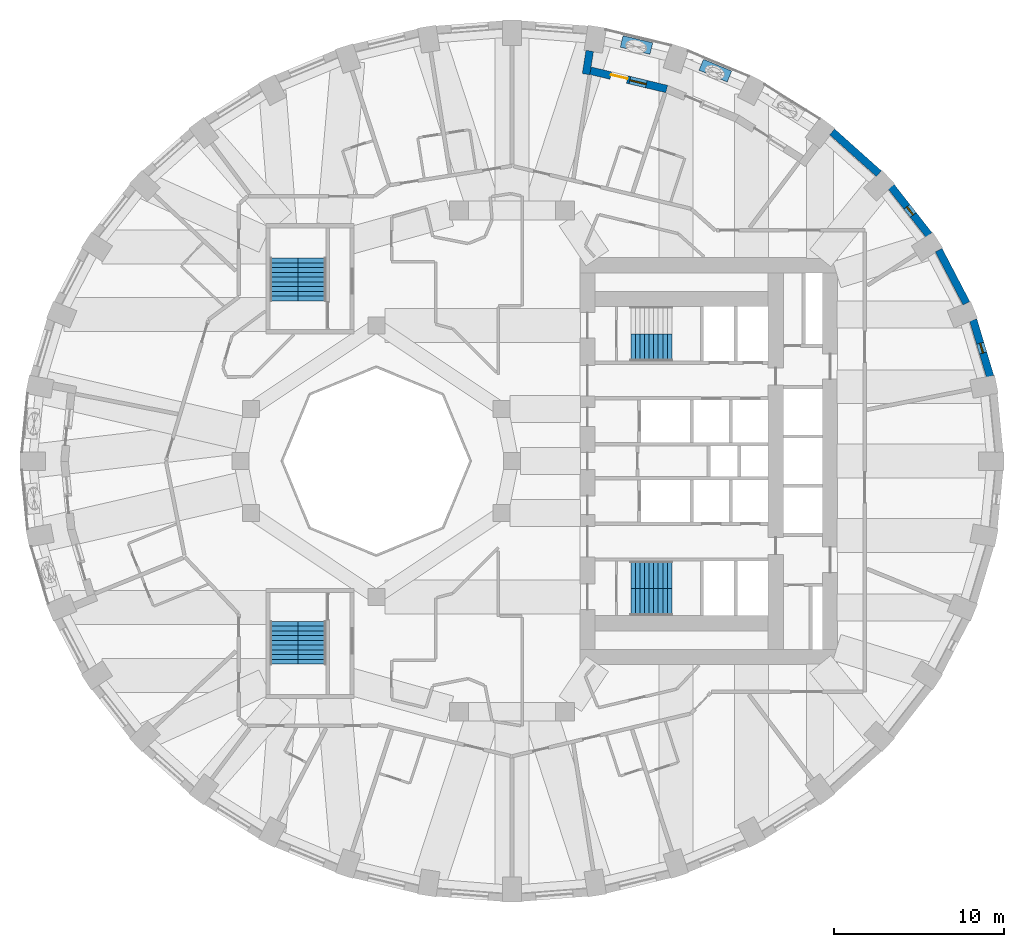
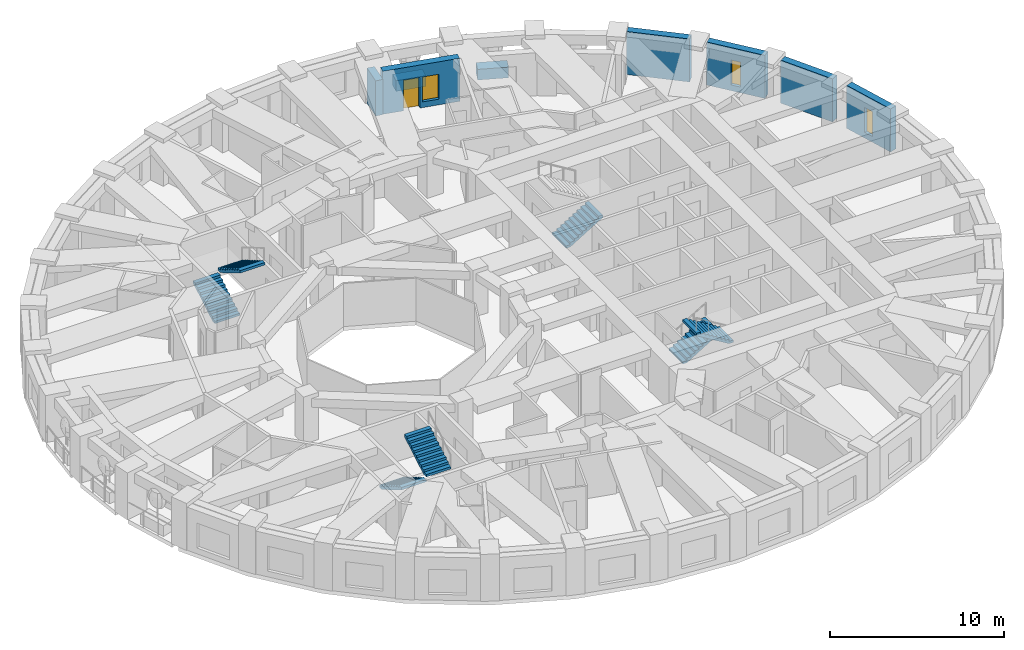
# One storey, part 10 of 14: 8 walls, 7 stair flights, 3 windows, 1 door, 4 openings, 4 elements without a shape of their own.
"""IFC4 building model written with IfcOpenShell, lengths in metres."""

from ifc_helpers import new_model, si_unit, direction, frame, frame_2d, origin, place, context, subcontext, project, spatial, polyline, rectangle, outline, extrude, material, layer, layer_set, constituent, constituent_set, type_object, element, fill, aggregate, save


model = new_model("IFC4")

# Units and contexts
model_context = context("Model", 3, precision=1e-05, world=origin(), true_north=direction((0.0, 1.0)))
body_context = subcontext(model_context, "Body", "Model", "MODEL_VIEW")
ifc_project = project(units=[si_unit("LENGTHUNIT", "METRE"), si_unit("AREAUNIT", "SQUARE_METRE"), si_unit("VOLUMEUNIT", "CUBIC_METRE"), si_unit("PLANEANGLEUNIT", "RADIAN"), si_unit("MASSUNIT", "GRAM", prefix="KILO")], contexts=[model_context])

# Site, building, storey
site_placement = place(None, origin())
site = spatial("IfcSite", under=ifc_project, at=site_placement, CompositionType="ELEMENT")
building_placement = place(site_placement, origin())
building = spatial("IfcBuilding", under=site, at=building_placement, Name="Taillehof Tower", CompositionType="ELEMENT")
storey_placement = place(building_placement, frame((0.0, 0.0, 21.699951171875)))
storey = spatial("IfcBuildingStorey", under=building, at=storey_placement, Name="L04", CompositionType="ELEMENT", Elevation=21.699951171875)

# Wall, opening, window
ifc_material_1 = material(Name="Brick masonry", Category="masonry")
ifc_layer = layer(ifc_material_1, 0.449951171875)
ifc_layer_set = layer_set([ifc_layer], Name="Brick infill wall 450")
wall_type_1 = type_object("IfcWallType", Name="Brick infill wall 450", PredefinedType="SOLIDWALL", material=ifc_layer_set)
wall_1_placement = place(storey_placement, frame((28.181884765625, 4.995849609375, 0.0), z_axis=(0.0, 0.0, 1.0), x_axis=(-0.287064133733, 0.957911364963, 0.0)))
wall_1 = element("IfcWall", 1, at=wall_1_placement, inside=storey, type_object=wall_type_1, Name="Brick wall L04 bay 2", PredefinedType="SOLIDWALL", context=body_context, shape_type="SweptSolid", body=[
    extrude(rectangle(XDim=3.473388671875, YDim=0.449951171875, at=frame_2d((1.73681640625, 0.0))), origin(), (0.0, 0.0, 1.0), 3.02001953125),
])
opening_1_placement = place(wall_1_placement, frame((1.436767578125, 0.0, 0.39990234375)))
opening_1 = element("IfcOpeningElement", 2, at=opening_1_placement, cuts=wall_1, Name="Opening W6", PredefinedType="OPENING", context=body_context, shape_type="SweptSolid", body=[
    extrude(rectangle(XDim=0.60009765625, YDim=1.75, at=frame_2d((0.300048828125, 0.875))), frame((0.0, 0.23486328125, 0.0), z_axis=(0.0, -1.0, 0.0), x_axis=(1.0, 0.0, 0.0)), (0.0, 0.0, 1.0), 0.469970703125),
])
ifc_material_2 = material(Name="Aluminium window frame with clear double glazing", Category="aluminium")
window_type_1 = type_object("IfcWindowType", Name="Slot window 600x1750", PartitioningType="SINGLE_PANEL", PredefinedType="WINDOW", material=ifc_material_2)
window_1_placement = place(opening_1_placement, origin())
window_1 = element("IfcWindow", 3, at=window_1_placement, inside=storey, type_object=window_type_1, Name="W6", OverallHeight=1.75, OverallWidth=0.60009765625, PartitioningType="SINGLE_PANEL", PredefinedType="WINDOW", context=body_context, shape_type="SweptSolid", body=[
    extrude(rectangle(XDim=0.60009765625, YDim=1.75, at=frame_2d((0.300048828125, 0.875))), frame((0.0, 0.034912109375, 0.0), z_axis=(0.0, -1.0, 0.0), x_axis=(1.0, 0.0, 0.0)), (0.0, 0.0, 1.0), 0.06005859375),
])
fill(opening_1, window_1)

# Wall
wall_2_placement = place(storey_placement, frame((26.78564453125, 9.30517578125, 0.0), z_axis=(0.0, 0.0, 1.0), x_axis=(-0.462492775226, 0.886623050041, 0.0)))
element("IfcWall", 4, at=wall_2_placement, inside=storey, type_object=wall_type_1, Name="Brick wall L04 bay 3", PredefinedType="SOLIDWALL", context=body_context, shape_type="SweptSolid", body=[
    extrude(rectangle(XDim=3.531982421875, YDim=0.449951171875, at=frame_2d((1.76611328125, 0.0))), origin(), (0.0, 0.0, 1.0), 3.02001953125),
])

# Wall, opening, window
wall_3_placement = place(storey_placement, frame((24.57763671875, 13.327880859375, 0.0), z_axis=(0.0, 0.0, 1.0), x_axis=(-0.616661975264, 0.787228053529, 0.0)))
wall_3 = element("IfcWall", 5, at=wall_3_placement, inside=storey, type_object=wall_type_1, Name="Brick wall L04 bay 4", PredefinedType="SOLIDWALL", context=body_context, shape_type="SweptSolid", body=[
    extrude(rectangle(XDim=3.60986328125, YDim=0.449951171875, at=frame_2d((1.804931640625, 0.0))), origin(), (0.0, 0.0, 1.0), 3.02001953125),
])
opening_2_placement = place(wall_3_placement, frame((1.5048828125, 0.0, 0.39990234375)))
opening_2 = element("IfcOpeningElement", 6, at=opening_2_placement, cuts=wall_3, Name="Opening W6", PredefinedType="OPENING", context=body_context, shape_type="SweptSolid", body=[
    extrude(rectangle(XDim=0.60009765625, YDim=1.75, at=frame_2d((0.300048828125, 0.875))), frame((0.0, 0.23486328125, 0.0), z_axis=(0.0, -1.0, 0.0), x_axis=(1.0, 0.0, 0.0)), (0.0, 0.0, 1.0), 0.469970703125),
])
window_2_placement = place(opening_2_placement, origin())
window_2 = element("IfcWindow", 7, at=window_2_placement, inside=storey, type_object=window_type_1, Name="W6", OverallHeight=1.75, OverallWidth=0.60009765625, PartitioningType="SINGLE_PANEL", PredefinedType="WINDOW", context=body_context, shape_type="SweptSolid", body=[
    extrude(rectangle(XDim=0.60009765625, YDim=1.75, at=frame_2d((0.300048828125, 0.875))), frame((0.0, 0.034912109375, 0.0), z_axis=(0.0, -1.0, 0.0), x_axis=(1.0, 0.0, 0.0)), (0.0, 0.0, 1.0), 0.06005859375),
])
fill(opening_2, window_2)

# Walls
wall_4_placement = place(storey_placement, frame((21.626708984375, 16.943115234375, 0.0), z_axis=(0.0, 0.0, 1.0), x_axis=(-0.745526233716, 0.66647628228, 0.0)))
element("IfcWall", 8, at=wall_4_placement, inside=storey, type_object=wall_type_1, Name="Brick wall L04 bay 5", PredefinedType="SOLIDWALL", context=body_context, shape_type="SweptSolid", body=[
    extrude(rectangle(XDim=3.69677734375, YDim=0.449951171875, at=frame_2d((1.848388671875, 0.0))), origin(), (0.0, 0.0, 1.0), 3.02001953125),
])
wall_5_placement = place(storey_placement, frame((4.58251953125, 24.178466796875, 0.0), z_axis=(0.0, 0.0, 1.0), x_axis=(-0.156133927791, -0.98773589415, 0.0)))
element("IfcWall", 9, at=wall_5_placement, inside=storey, type_object=wall_type_1, Name="Brick reveal L04 pocket 1", PredefinedType="SOLIDWALL", context=body_context, shape_type="SweptSolid", body=[
    extrude(rectangle(XDim=1.39013671875, YDim=0.449951171875, at=frame_2d((0.695068359375, 0.0))), origin(), (0.0, 0.0, 1.0), 2.469970703125),
])

# Wall, openings, door, window
wall_6_placement = place(storey_placement, frame((9.12158203125, 21.931640625, 0.0), z_axis=(0.0, 0.0, 1.0), x_axis=(-0.972346547441, 0.233542697764, 0.0)))
wall_6 = element("IfcWall", 10, at=wall_6_placement, inside=storey, type_object=wall_type_1, Name="Brick wall L04 pocket bay 8", PredefinedType="SOLIDWALL", context=body_context, shape_type="SweptSolid", body=[
    extrude(rectangle(XDim=4.623779296875, YDim=0.449951171875, at=frame_2d((2.31201171875, 0.0))), origin(), (0.0, 0.0, 1.0), 3.02001953125),
])
opening_3_placement = place(wall_6_placement, frame((1.23681640625, 0.0, 0.39990234375)))
opening_3 = element("IfcOpeningElement", 11, at=opening_3_placement, cuts=wall_6, Name="Opening W5", PredefinedType="OPENING", context=body_context, shape_type="SweptSolid", body=[
    extrude(rectangle(XDim=1.0, YDim=1.75, at=frame_2d((0.5, 0.875))), frame((0.0, 0.23486328125, 0.0), z_axis=(0.0, -1.0, 0.0), x_axis=(1.0, 0.0, 0.0)), (0.0, 0.0, 1.0), 0.469970703125),
])
opening_4_placement = place(wall_6_placement, frame((2.38671875, 0.0, 0.0)))
opening_4 = element("IfcOpeningElement", 12, at=opening_4_placement, cuts=wall_6, Name="Opening D0493", PredefinedType="OPENING", context=body_context, shape_type="SweptSolid", body=[
    extrude(rectangle(XDim=1.0, YDim=2.14990234375, at=frame_2d((0.5, 1.074951171875))), frame((0.0, 0.23486328125, 0.0), z_axis=(0.0, -1.0, 0.0), x_axis=(1.0, 0.0, 0.0)), (0.0, 0.0, 1.0), 0.469970703125),
])
ifc_material_3 = material(Name="Aluminium door frame with clear double glazing", Category="aluminium")
door_type = type_object("IfcDoorType", Name="Balcony door 1000x2150", OperationType="SINGLE_SWING_RIGHT", PredefinedType="DOOR", material=ifc_material_3)
door_placement = place(opening_4_placement, frame((1.0, 0.0, 0.0), z_axis=(0.0, 0.0, 1.0), x_axis=(-1.0, 0.0, 0.0)))
door = element("IfcDoor", 13, at=door_placement, inside=storey, type_object=door_type, Name="Balcony door L04 bay 8", OperationType="SINGLE_SWING_LEFT", OverallHeight=2.14990234375, OverallWidth=1.0, PredefinedType="DOOR", context=body_context, shape_type="SweptSolid", body=[
    extrude(rectangle(XDim=1.0, YDim=2.14990234375, at=frame_2d((0.5, 1.074951171875))), frame((0.0, 0.0751953125, 0.0), z_axis=(0.0, -1.0, 0.0), x_axis=(1.0, 0.0, 0.0)), (0.0, 0.0, 1.0), 0.050048828125),
])
fill(opening_4, door)
ifc_material_4 = material(Name="Aluminium window frame with clear double glazing", Category="aluminium")
window_type_2 = type_object("IfcWindowType", Name="Fixed window 1000x1750", PartitioningType="SINGLE_PANEL", PredefinedType="WINDOW", material=ifc_material_4)
window_3_placement = place(opening_3_placement, origin())
window_3 = element("IfcWindow", 14, at=window_3_placement, inside=storey, type_object=window_type_2, Name="W5", OverallHeight=1.75, OverallWidth=1.0, PartitioningType="SINGLE_PANEL", PredefinedType="WINDOW", context=body_context, shape_type="SweptSolid", body=[
    extrude(rectangle(XDim=1.0, YDim=1.75, at=frame_2d((0.5, 0.875))), frame((0.0, 0.034912109375, 0.0), z_axis=(0.0, -1.0, 0.0), x_axis=(1.0, 0.0, 0.0)), (0.0, 0.0, 1.0), 0.06005859375),
])
fill(opening_3, window_3)

# Walls
ifc_material_5 = material(Name="Concrete C30/37 precast", Category="concrete")
ifc_constituent_1 = constituent(ifc_material_5, Name="Structure", Category="concrete")
ifc_material_6 = material(Name="Insulated lining")
ifc_constituent_2 = constituent(ifc_material_6, Name="Lining")
ifc_constituent_set = constituent_set(constituents=[ifc_constituent_1, ifc_constituent_2], Name="Planter trough 700x750")
wall_type_2 = type_object("IfcWallType", Name="Planter trough 700x750", PredefinedType="USERDEFINED", material=ifc_constituent_set)
for number, where, z_axis, x_axis, name in (
    (15, (12.816650390625, 22.669677734375, 0.0), (0.0, 0.0, 1.0), (-0.923000660042, 0.384798364811, 0.0), "Planter L04 bay 7"),
    (16, (8.215087890625, 24.318115234375, 0.0), (0.0, 0.0, 1.0), (-0.972504142103, 0.232885580473, 0.0), "Planter L04 bay 8"),
):
    element("IfcWall", number, at=place(storey_placement, frame(where, z_axis=z_axis, x_axis=x_axis)), inside=storey, type_object=wall_type_2, Name=name, ObjectType="PLANTER", PredefinedType="USERDEFINED", context=body_context, shape_type="SweptSolid", body=[
        extrude(rectangle(XDim=1.800048828125, YDim=0.699951171875, at=frame_2d((0.89990234375, 0.0))), origin(), (0.0, 0.0, 1.0), 0.75),
    ])

# Stair, stair flight
ifc_material_7 = material(Name="Concrete C40/50", Category="concrete")
stair_type = type_object("IfcStairType", Name="Exit stair half-turn", PredefinedType="HALF_TURN_STAIR", material=ifc_material_7)
stair_1_placement = place(storey_placement, origin())
stair_1 = element("IfcStair", 17, at=stair_1_placement, inside=storey, type_object=stair_type, Name="Exit stair S1", PredefinedType="HALF_TURN_STAIR")
ifc_material_8 = material(Name="Concrete C40/50", Category="concrete")
stair_flight_type_1 = type_object("IfcStairFlightType", Name="Stair flight 1600 riser 165.0 going 270", PredefinedType="STRAIGHT", material=ifc_material_8)
stair_flight_1_placement = place(storey_placement, frame((7.0, 6.699951171875, 0.0), z_axis=(0.0, 0.0, 1.0), x_axis=(1.0, 0.0, 0.0)))
stair_flight_1 = element("IfcStairFlight", 18, at=stair_flight_1_placement, type_object=stair_flight_type_1, Name="S1 flight 1", NumberOfRisers=10, NumberOfTreads=9, PredefinedType="STRAIGHT", RiserHeight=0.165, TreadLength=0.27, context=body_context, shape_type="SweptSolid", body=[
    extrude(outline(polyline([(0.0, 0.0), (0.0, 0.00537109375), (0.0, 0.0107421875), (0.0, 0.015869140625), (0.0, 0.021240234375), (0.0, 0.026611328125), (0.0, 0.031982421875), (0.0, 0.037353515625), (0.0, 0.04248046875), (0.0, 0.0478515625), (0.0, 0.05322265625), (0.0, 0.05859375), (0.0, 0.06396484375), (0.0, 0.069091796875), (0.0, 0.074462890625), (0.0, 0.079833984375), (0.0, 0.085205078125), (0.0, 0.090576171875), (0.0, 0.095703125), (0.0, 0.10107421875), (0.0, 0.1064453125), (0.0, 0.11181640625), (0.0, 0.1171875), (0.0, 0.122314453125), (0.0, 0.127685546875), (0.0, 0.133056640625), (0.0, 0.138427734375), (0.0, 0.143798828125), (0.0, 0.14892578125), (0.0, 0.154296875), (0.0, 0.15966796875), (0.0, 0.1650390625), (0.27001953125, 0.1650390625), (0.27001953125, 0.330078125), (0.5400390625, 0.330078125), (0.5400390625, 0.4951171875), (0.81005859375, 0.4951171875), (0.81005859375, 0.659912109375), (1.080078125, 0.659912109375), (1.080078125, 0.824951171875), (1.35009765625, 0.824951171875), (1.35009765625, 0.989990234375), (1.6201171875, 0.989990234375), (1.6201171875, 1.155029296875), (1.889892578125, 1.155029296875), (1.889892578125, 1.320068359375), (2.159912109375, 1.320068359375), (2.159912109375, 1.485107421875), (2.429931640625, 1.485107421875), (2.429931640625, 1.479248046875), (2.429931640625, 1.4736328125), (2.429931640625, 1.468017578125), (2.429931640625, 1.46240234375), (2.429931640625, 1.45654296875), (2.429931640625, 1.450927734375), (2.429931640625, 1.4453125), (2.429931640625, 1.439697265625), (2.429931640625, 1.43408203125), (2.429931640625, 1.42822265625), (2.429931640625, 1.422607421875), (2.429931640625, 1.4169921875), (2.429931640625, 1.411376953125), (2.429931640625, 1.40576171875), (2.429931640625, 1.39990234375), (2.429931640625, 1.394287109375), (2.429931640625, 1.388671875), (2.429931640625, 1.383056640625), (2.429931640625, 1.37744140625), (2.429931640625, 1.37158203125), (2.429931640625, 1.365966796875), (2.429931640625, 1.3603515625), (2.429931640625, 1.354736328125), (2.429931640625, 1.348876953125), (2.429931640625, 1.34326171875), (2.429931640625, 1.337646484375), (2.429931640625, 1.33203125), (2.429931640625, 1.326416015625), (2.429931640625, 1.320556640625), (2.429931640625, 1.31494140625), (2.429931640625, 1.309326171875), (0.287353515625, 0.0), (0.0, 0.0)])), frame((0.0, 0.800048828125, 0.0), z_axis=(0.0, -1.0, 0.0), x_axis=(1.0, 0.0, 0.0)), (0.0, 0.0, 1.0), 1.6),
])
aggregate(stair_1, [stair_flight_1])

# Stair, stair flights
stair_2_placement = place(storey_placement, origin())
stair_2 = element("IfcStair", 19, at=stair_2_placement, inside=storey, type_object=stair_type, Name="Exit stair S2", PredefinedType="HALF_TURN_STAIR")
stair_flight_2_placement = place(storey_placement, frame((7.0, -6.699951171875, 0.0), z_axis=(0.0, 0.0, 1.0), x_axis=(1.0, 0.0, 0.0)))
stair_flight_2 = element("IfcStairFlight", 20, at=stair_flight_2_placement, type_object=stair_flight_type_1, Name="S2 flight 1", NumberOfRisers=10, NumberOfTreads=9, PredefinedType="STRAIGHT", RiserHeight=0.165, TreadLength=0.27, context=body_context, shape_type="SweptSolid", body=[
    extrude(outline(polyline([(0.0, 0.0), (0.0, 0.00537109375), (0.0, 0.0107421875), (0.0, 0.015869140625), (0.0, 0.021240234375), (0.0, 0.026611328125), (0.0, 0.031982421875), (0.0, 0.037353515625), (0.0, 0.04248046875), (0.0, 0.0478515625), (0.0, 0.05322265625), (0.0, 0.05859375), (0.0, 0.06396484375), (0.0, 0.069091796875), (0.0, 0.074462890625), (0.0, 0.079833984375), (0.0, 0.085205078125), (0.0, 0.090576171875), (0.0, 0.095703125), (0.0, 0.10107421875), (0.0, 0.1064453125), (0.0, 0.11181640625), (0.0, 0.1171875), (0.0, 0.122314453125), (0.0, 0.127685546875), (0.0, 0.133056640625), (0.0, 0.138427734375), (0.0, 0.143798828125), (0.0, 0.14892578125), (0.0, 0.154296875), (0.0, 0.15966796875), (0.0, 0.1650390625), (0.27001953125, 0.1650390625), (0.27001953125, 0.330078125), (0.5400390625, 0.330078125), (0.5400390625, 0.4951171875), (0.81005859375, 0.4951171875), (0.81005859375, 0.659912109375), (1.080078125, 0.659912109375), (1.080078125, 0.824951171875), (1.35009765625, 0.824951171875), (1.35009765625, 0.989990234375), (1.6201171875, 0.989990234375), (1.6201171875, 1.155029296875), (1.889892578125, 1.155029296875), (1.889892578125, 1.320068359375), (2.159912109375, 1.320068359375), (2.159912109375, 1.485107421875), (2.429931640625, 1.485107421875), (2.429931640625, 1.479248046875), (2.429931640625, 1.4736328125), (2.429931640625, 1.468017578125), (2.429931640625, 1.46240234375), (2.429931640625, 1.45654296875), (2.429931640625, 1.450927734375), (2.429931640625, 1.4453125), (2.429931640625, 1.439697265625), (2.429931640625, 1.43408203125), (2.429931640625, 1.42822265625), (2.429931640625, 1.422607421875), (2.429931640625, 1.4169921875), (2.429931640625, 1.411376953125), (2.429931640625, 1.40576171875), (2.429931640625, 1.39990234375), (2.429931640625, 1.394287109375), (2.429931640625, 1.388671875), (2.429931640625, 1.383056640625), (2.429931640625, 1.37744140625), (2.429931640625, 1.37158203125), (2.429931640625, 1.365966796875), (2.429931640625, 1.3603515625), (2.429931640625, 1.354736328125), (2.429931640625, 1.348876953125), (2.429931640625, 1.34326171875), (2.429931640625, 1.337646484375), (2.429931640625, 1.33203125), (2.429931640625, 1.326416015625), (2.429931640625, 1.320556640625), (2.429931640625, 1.31494140625), (2.429931640625, 1.309326171875), (0.287353515625, 0.0), (0.0, 0.0)])), frame((0.0, 0.800048828125, 0.0), z_axis=(0.0, -1.0, 0.0), x_axis=(1.0, 0.0, 0.0)), (0.0, 0.0, 1.0), 1.6),
])
stair_flight_3_placement = place(storey_placement, frame((9.429931640625, -8.300048828125, 1.650146484375), z_axis=(0.0, 0.0, 1.0), x_axis=(-1.0, 0.0, 0.0)))
stair_flight_3 = element("IfcStairFlight", 21, at=stair_flight_3_placement, type_object=stair_flight_type_1, Name="S2 flight 2", NumberOfRisers=10, NumberOfTreads=9, PredefinedType="STRAIGHT", RiserHeight=0.165, TreadLength=0.27, context=body_context, shape_type="SweptSolid", body=[
    extrude(outline(polyline([(0.0, 0.0), (0.0, 0.00537109375), (0.0, 0.0107421875), (0.0, 0.015869140625), (0.0, 0.021240234375), (0.0, 0.026611328125), (0.0, 0.031982421875), (0.0, 0.037353515625), (0.0, 0.04248046875), (0.0, 0.0478515625), (0.0, 0.05322265625), (0.0, 0.05859375), (0.0, 0.06396484375), (0.0, 0.069091796875), (0.0, 0.074462890625), (0.0, 0.079833984375), (0.0, 0.085205078125), (0.0, 0.090576171875), (0.0, 0.095703125), (0.0, 0.10107421875), (0.0, 0.1064453125), (0.0, 0.11181640625), (0.0, 0.1171875), (0.0, 0.122314453125), (0.0, 0.127685546875), (0.0, 0.133056640625), (0.0, 0.138427734375), (0.0, 0.143798828125), (0.0, 0.14892578125), (0.0, 0.154296875), (0.0, 0.15966796875), (0.0, 0.1650390625), (0.27001953125, 0.1650390625), (0.27001953125, 0.330078125), (0.5400390625, 0.330078125), (0.5400390625, 0.4951171875), (0.81005859375, 0.4951171875), (0.81005859375, 0.659912109375), (1.080078125, 0.659912109375), (1.080078125, 0.824951171875), (1.35009765625, 0.824951171875), (1.35009765625, 0.989990234375), (1.6201171875, 0.989990234375), (1.6201171875, 1.155029296875), (1.889892578125, 1.155029296875), (1.889892578125, 1.320068359375), (2.159912109375, 1.320068359375), (2.159912109375, 1.485107421875), (2.429931640625, 1.485107421875), (2.429931640625, 1.479248046875), (2.429931640625, 1.4736328125), (2.429931640625, 1.468017578125), (2.429931640625, 1.46240234375), (2.429931640625, 1.45654296875), (2.429931640625, 1.450927734375), (2.429931640625, 1.4453125), (2.429931640625, 1.439697265625), (2.429931640625, 1.43408203125), (2.429931640625, 1.42822265625), (2.429931640625, 1.422607421875), (2.429931640625, 1.4169921875), (2.429931640625, 1.411376953125), (2.429931640625, 1.40576171875), (2.429931640625, 1.39990234375), (2.429931640625, 1.394287109375), (2.429931640625, 1.388671875), (2.429931640625, 1.383056640625), (2.429931640625, 1.37744140625), (2.429931640625, 1.37158203125), (2.429931640625, 1.365966796875), (2.429931640625, 1.3603515625), (2.429931640625, 1.354736328125), (2.429931640625, 1.348876953125), (2.429931640625, 1.34326171875), (2.429931640625, 1.337646484375), (2.429931640625, 1.33203125), (2.429931640625, 1.326416015625), (2.429931640625, 1.320556640625), (2.429931640625, 1.31494140625), (2.429931640625, 1.309326171875), (0.287353515625, 0.0), (0.0, 0.0)])), frame((0.0, 0.800048828125, 0.0), z_axis=(0.0, -1.0, 0.0), x_axis=(1.0, 0.0, 0.0)), (0.0, 0.0, 1.0), 1.6),
])
aggregate(stair_2, [stair_flight_2, stair_flight_3])

stair_3_placement = place(storey_placement, origin())
stair_3 = element("IfcStair", 22, at=stair_3_placement, inside=storey, type_object=stair_type, Name="Exit stair S3", PredefinedType="HALF_TURN_STAIR")
ifc_material_9 = material(Name="Concrete C40/50", Category="concrete")
stair_flight_type_2 = type_object("IfcStairFlightType", Name="Stair flight 1650 riser 165.0 going 280", PredefinedType="STRAIGHT", material=ifc_material_9)
stair_flight_4_placement = place(storey_placement, frame((-13.425048828125, 9.449951171875, 0.0), z_axis=(0.0, 0.0, 1.0), x_axis=(0.0, 1.0, 0.0)))
stair_flight_4 = element("IfcStairFlight", 23, at=stair_flight_4_placement, type_object=stair_flight_type_2, Name="S3 flight 1", NumberOfRisers=10, NumberOfTreads=9, PredefinedType="STRAIGHT", RiserHeight=0.165, TreadLength=0.28, context=body_context, shape_type="SweptSolid", body=[
    extrude(outline(polyline([(0.0, 0.0), (0.0, 0.00537109375), (0.0, 0.0107421875), (0.0, 0.015869140625), (0.0, 0.021240234375), (0.0, 0.026611328125), (0.0, 0.031982421875), (0.0, 0.037353515625), (0.0, 0.04248046875), (0.0, 0.0478515625), (0.0, 0.05322265625), (0.0, 0.05859375), (0.0, 0.06396484375), (0.0, 0.069091796875), (0.0, 0.074462890625), (0.0, 0.079833984375), (0.0, 0.085205078125), (0.0, 0.090576171875), (0.0, 0.095703125), (0.0, 0.10107421875), (0.0, 0.1064453125), (0.0, 0.11181640625), (0.0, 0.1171875), (0.0, 0.122314453125), (0.0, 0.127685546875), (0.0, 0.133056640625), (0.0, 0.138427734375), (0.0, 0.143798828125), (0.0, 0.14892578125), (0.0, 0.154296875), (0.0, 0.15966796875), (0.0, 0.1650390625), (0.280029296875, 0.1650390625), (0.280029296875, 0.330078125), (0.56005859375, 0.330078125), (0.56005859375, 0.4951171875), (0.840087890625, 0.4951171875), (0.840087890625, 0.659912109375), (1.1201171875, 0.659912109375), (1.1201171875, 0.824951171875), (1.39990234375, 0.824951171875), (1.39990234375, 0.989990234375), (1.679931640625, 0.989990234375), (1.679931640625, 1.155029296875), (1.9599609375, 1.155029296875), (1.9599609375, 1.320068359375), (2.239990234375, 1.320068359375), (2.239990234375, 1.485107421875), (2.52001953125, 1.485107421875), (2.52001953125, 1.4794921875), (2.52001953125, 1.473876953125), (2.52001953125, 1.46826171875), (2.52001953125, 1.462646484375), (2.52001953125, 1.45703125), (2.52001953125, 1.451416015625), (2.52001953125, 1.44580078125), (2.52001953125, 1.440185546875), (2.52001953125, 1.4345703125), (2.52001953125, 1.428955078125), (2.52001953125, 1.42333984375), (2.52001953125, 1.417724609375), (2.52001953125, 1.412109375), (2.52001953125, 1.406494140625), (2.52001953125, 1.40087890625), (2.52001953125, 1.395263671875), (2.52001953125, 1.3896484375), (2.52001953125, 1.384033203125), (2.52001953125, 1.37841796875), (2.52001953125, 1.372802734375), (2.52001953125, 1.3671875), (2.52001953125, 1.361572265625), (2.52001953125, 1.35595703125), (2.52001953125, 1.350341796875), (2.52001953125, 1.3447265625), (2.52001953125, 1.339111328125), (2.52001953125, 1.33349609375), (2.52001953125, 1.327880859375), (2.52001953125, 1.322265625), (2.52001953125, 1.316650390625), (2.52001953125, 1.31103515625), (0.295166015625, 0.0), (0.0, 0.0)])), frame((0.0, 0.824951171875, 0.0), z_axis=(0.0, -1.0, 0.0), x_axis=(1.0, 0.0, 0.0)), (0.0, 0.0, 1.0), 1.65),
])
stair_flight_5_placement = place(storey_placement, frame((-11.77490234375, 11.969970703125, 1.650146484375), z_axis=(0.0, 0.0, 1.0), x_axis=(0.0, -1.0, 0.0)))
stair_flight_5 = element("IfcStairFlight", 24, at=stair_flight_5_placement, type_object=stair_flight_type_2, Name="S3 flight 2", NumberOfRisers=10, NumberOfTreads=9, PredefinedType="STRAIGHT", RiserHeight=0.165, TreadLength=0.28, context=body_context, shape_type="SweptSolid", body=[
    extrude(outline(polyline([(0.0, 0.0), (0.0, 0.00537109375), (0.0, 0.0107421875), (0.0, 0.015869140625), (0.0, 0.021240234375), (0.0, 0.026611328125), (0.0, 0.031982421875), (0.0, 0.037353515625), (0.0, 0.04248046875), (0.0, 0.0478515625), (0.0, 0.05322265625), (0.0, 0.05859375), (0.0, 0.06396484375), (0.0, 0.069091796875), (0.0, 0.074462890625), (0.0, 0.079833984375), (0.0, 0.085205078125), (0.0, 0.090576171875), (0.0, 0.095703125), (0.0, 0.10107421875), (0.0, 0.1064453125), (0.0, 0.11181640625), (0.0, 0.1171875), (0.0, 0.122314453125), (0.0, 0.127685546875), (0.0, 0.133056640625), (0.0, 0.138427734375), (0.0, 0.143798828125), (0.0, 0.14892578125), (0.0, 0.154296875), (0.0, 0.15966796875), (0.0, 0.1650390625), (0.280029296875, 0.1650390625), (0.280029296875, 0.330078125), (0.56005859375, 0.330078125), (0.56005859375, 0.4951171875), (0.840087890625, 0.4951171875), (0.840087890625, 0.659912109375), (1.1201171875, 0.659912109375), (1.1201171875, 0.824951171875), (1.39990234375, 0.824951171875), (1.39990234375, 0.989990234375), (1.679931640625, 0.989990234375), (1.679931640625, 1.155029296875), (1.9599609375, 1.155029296875), (1.9599609375, 1.320068359375), (2.239990234375, 1.320068359375), (2.239990234375, 1.485107421875), (2.52001953125, 1.485107421875), (2.52001953125, 1.4794921875), (2.52001953125, 1.473876953125), (2.52001953125, 1.46826171875), (2.52001953125, 1.462646484375), (2.52001953125, 1.45703125), (2.52001953125, 1.451416015625), (2.52001953125, 1.44580078125), (2.52001953125, 1.440185546875), (2.52001953125, 1.4345703125), (2.52001953125, 1.428955078125), (2.52001953125, 1.42333984375), (2.52001953125, 1.417724609375), (2.52001953125, 1.412109375), (2.52001953125, 1.406494140625), (2.52001953125, 1.40087890625), (2.52001953125, 1.395263671875), (2.52001953125, 1.3896484375), (2.52001953125, 1.384033203125), (2.52001953125, 1.37841796875), (2.52001953125, 1.372802734375), (2.52001953125, 1.3671875), (2.52001953125, 1.361572265625), (2.52001953125, 1.35595703125), (2.52001953125, 1.350341796875), (2.52001953125, 1.3447265625), (2.52001953125, 1.339111328125), (2.52001953125, 1.33349609375), (2.52001953125, 1.327880859375), (2.52001953125, 1.322265625), (2.52001953125, 1.316650390625), (2.52001953125, 1.31103515625), (0.295166015625, 0.0), (0.0, 0.0)])), frame((0.0, 0.824951171875, 0.0), z_axis=(0.0, -1.0, 0.0), x_axis=(1.0, 0.0, 0.0)), (0.0, 0.0, 1.0), 1.65),
])
aggregate(stair_3, [stair_flight_4, stair_flight_5])

stair_4_placement = place(storey_placement, origin())
stair_4 = element("IfcStair", 25, at=stair_4_placement, inside=storey, type_object=stair_type, Name="Exit stair S4", PredefinedType="HALF_TURN_STAIR")
stair_flight_6_placement = place(storey_placement, frame((-13.425048828125, -9.449951171875, 0.0), z_axis=(0.0, 0.0, 1.0), x_axis=(0.0, -1.0, 0.0)))
stair_flight_6 = element("IfcStairFlight", 26, at=stair_flight_6_placement, type_object=stair_flight_type_2, Name="S4 flight 1", NumberOfRisers=10, NumberOfTreads=9, PredefinedType="STRAIGHT", RiserHeight=0.165, TreadLength=0.28, context=body_context, shape_type="SweptSolid", body=[
    extrude(outline(polyline([(0.0, 0.0), (0.0, 0.00537109375), (0.0, 0.0107421875), (0.0, 0.015869140625), (0.0, 0.021240234375), (0.0, 0.026611328125), (0.0, 0.031982421875), (0.0, 0.037353515625), (0.0, 0.04248046875), (0.0, 0.0478515625), (0.0, 0.05322265625), (0.0, 0.05859375), (0.0, 0.06396484375), (0.0, 0.069091796875), (0.0, 0.074462890625), (0.0, 0.079833984375), (0.0, 0.085205078125), (0.0, 0.090576171875), (0.0, 0.095703125), (0.0, 0.10107421875), (0.0, 0.1064453125), (0.0, 0.11181640625), (0.0, 0.1171875), (0.0, 0.122314453125), (0.0, 0.127685546875), (0.0, 0.133056640625), (0.0, 0.138427734375), (0.0, 0.143798828125), (0.0, 0.14892578125), (0.0, 0.154296875), (0.0, 0.15966796875), (0.0, 0.1650390625), (0.280029296875, 0.1650390625), (0.280029296875, 0.330078125), (0.56005859375, 0.330078125), (0.56005859375, 0.4951171875), (0.840087890625, 0.4951171875), (0.840087890625, 0.659912109375), (1.1201171875, 0.659912109375), (1.1201171875, 0.824951171875), (1.39990234375, 0.824951171875), (1.39990234375, 0.989990234375), (1.679931640625, 0.989990234375), (1.679931640625, 1.155029296875), (1.9599609375, 1.155029296875), (1.9599609375, 1.320068359375), (2.239990234375, 1.320068359375), (2.239990234375, 1.485107421875), (2.52001953125, 1.485107421875), (2.52001953125, 1.4794921875), (2.52001953125, 1.473876953125), (2.52001953125, 1.46826171875), (2.52001953125, 1.462646484375), (2.52001953125, 1.45703125), (2.52001953125, 1.451416015625), (2.52001953125, 1.44580078125), (2.52001953125, 1.440185546875), (2.52001953125, 1.4345703125), (2.52001953125, 1.428955078125), (2.52001953125, 1.42333984375), (2.52001953125, 1.417724609375), (2.52001953125, 1.412109375), (2.52001953125, 1.406494140625), (2.52001953125, 1.40087890625), (2.52001953125, 1.395263671875), (2.52001953125, 1.3896484375), (2.52001953125, 1.384033203125), (2.52001953125, 1.37841796875), (2.52001953125, 1.372802734375), (2.52001953125, 1.3671875), (2.52001953125, 1.361572265625), (2.52001953125, 1.35595703125), (2.52001953125, 1.350341796875), (2.52001953125, 1.3447265625), (2.52001953125, 1.339111328125), (2.52001953125, 1.33349609375), (2.52001953125, 1.327880859375), (2.52001953125, 1.322265625), (2.52001953125, 1.316650390625), (2.52001953125, 1.31103515625), (0.295166015625, 0.0), (0.0, 0.0)])), frame((0.0, 0.824951171875, 0.0), z_axis=(0.0, -1.0, 0.0), x_axis=(1.0, 0.0, 0.0)), (0.0, 0.0, 1.0), 1.65),
])
stair_flight_7_placement = place(storey_placement, frame((-11.77490234375, -11.969970703125, 1.650146484375), z_axis=(0.0, 0.0, 1.0), x_axis=(0.0, 1.0, 0.0)))
stair_flight_7 = element("IfcStairFlight", 27, at=stair_flight_7_placement, type_object=stair_flight_type_2, Name="S4 flight 2", NumberOfRisers=10, NumberOfTreads=9, PredefinedType="STRAIGHT", RiserHeight=0.165, TreadLength=0.28, context=body_context, shape_type="SweptSolid", body=[
    extrude(outline(polyline([(0.0, 0.0), (0.0, 0.00537109375), (0.0, 0.0107421875), (0.0, 0.015869140625), (0.0, 0.021240234375), (0.0, 0.026611328125), (0.0, 0.031982421875), (0.0, 0.037353515625), (0.0, 0.04248046875), (0.0, 0.0478515625), (0.0, 0.05322265625), (0.0, 0.05859375), (0.0, 0.06396484375), (0.0, 0.069091796875), (0.0, 0.074462890625), (0.0, 0.079833984375), (0.0, 0.085205078125), (0.0, 0.090576171875), (0.0, 0.095703125), (0.0, 0.10107421875), (0.0, 0.1064453125), (0.0, 0.11181640625), (0.0, 0.1171875), (0.0, 0.122314453125), (0.0, 0.127685546875), (0.0, 0.133056640625), (0.0, 0.138427734375), (0.0, 0.143798828125), (0.0, 0.14892578125), (0.0, 0.154296875), (0.0, 0.15966796875), (0.0, 0.1650390625), (0.280029296875, 0.1650390625), (0.280029296875, 0.330078125), (0.56005859375, 0.330078125), (0.56005859375, 0.4951171875), (0.840087890625, 0.4951171875), (0.840087890625, 0.659912109375), (1.1201171875, 0.659912109375), (1.1201171875, 0.824951171875), (1.39990234375, 0.824951171875), (1.39990234375, 0.989990234375), (1.679931640625, 0.989990234375), (1.679931640625, 1.155029296875), (1.9599609375, 1.155029296875), (1.9599609375, 1.320068359375), (2.239990234375, 1.320068359375), (2.239990234375, 1.485107421875), (2.52001953125, 1.485107421875), (2.52001953125, 1.4794921875), (2.52001953125, 1.473876953125), (2.52001953125, 1.46826171875), (2.52001953125, 1.462646484375), (2.52001953125, 1.45703125), (2.52001953125, 1.451416015625), (2.52001953125, 1.44580078125), (2.52001953125, 1.440185546875), (2.52001953125, 1.4345703125), (2.52001953125, 1.428955078125), (2.52001953125, 1.42333984375), (2.52001953125, 1.417724609375), (2.52001953125, 1.412109375), (2.52001953125, 1.406494140625), (2.52001953125, 1.40087890625), (2.52001953125, 1.395263671875), (2.52001953125, 1.3896484375), (2.52001953125, 1.384033203125), (2.52001953125, 1.37841796875), (2.52001953125, 1.372802734375), (2.52001953125, 1.3671875), (2.52001953125, 1.361572265625), (2.52001953125, 1.35595703125), (2.52001953125, 1.350341796875), (2.52001953125, 1.3447265625), (2.52001953125, 1.339111328125), (2.52001953125, 1.33349609375), (2.52001953125, 1.327880859375), (2.52001953125, 1.322265625), (2.52001953125, 1.316650390625), (2.52001953125, 1.31103515625), (0.295166015625, 0.0), (0.0, 0.0)])), frame((0.0, 0.824951171875, 0.0), z_axis=(0.0, -1.0, 0.0), x_axis=(1.0, 0.0, 0.0)), (0.0, 0.0, 1.0), 1.65),
])
aggregate(stair_4, [stair_flight_6, stair_flight_7])

save(model, "model.ifc")
